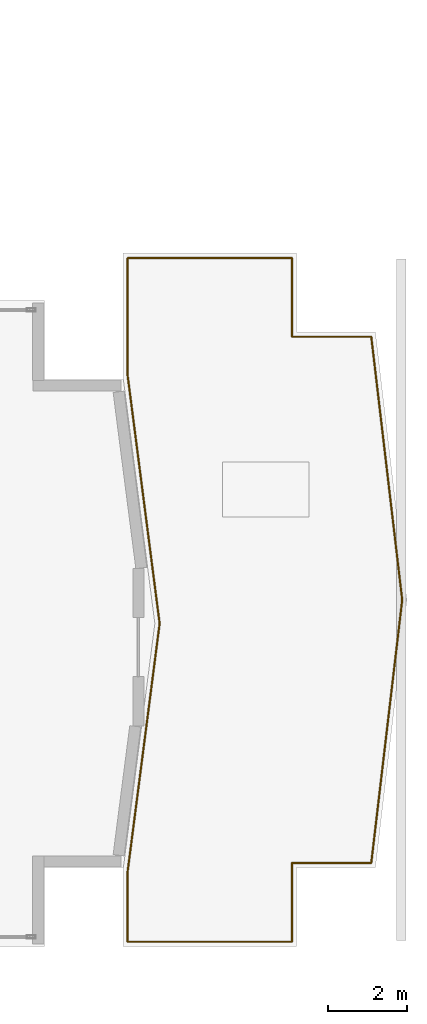
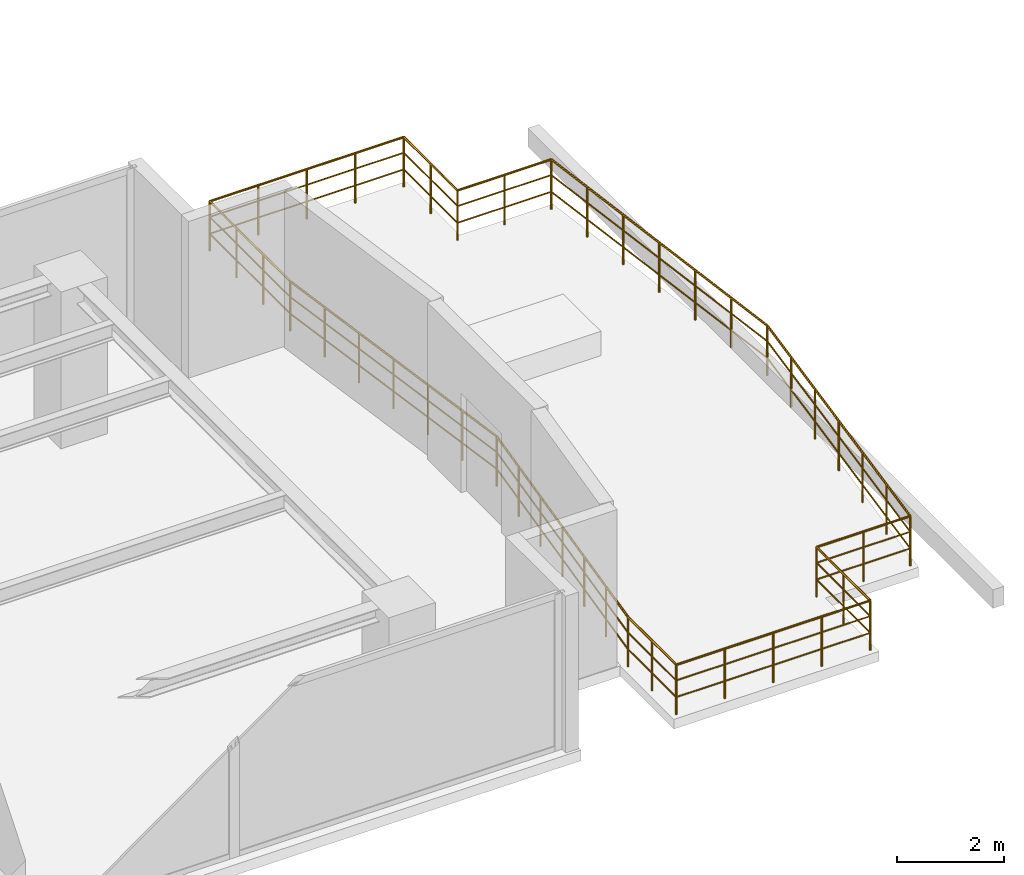
# One storey, part 24 of 25: 12 railings.
"""IFC4 building model written with IfcOpenShell, lengths in metres."""

import ifcopenshell
import ifcopenshell.guid

model = None  # the IFC model being written
_history = None  # IfcOwnerHistory: only IFC2X3 demands one
_inside = {}  # id of a spatial element -> (the spatial element, [elements in it])
_under = {}  # id of a project, library or spatial element -> (it, [spatial elements below it])
_declared = {}  # id of a project -> (the project, [libraries it declares])
_typed = {}  # id of a type object -> (the type object, [elements of that type])
_made_of = {}  # id of a material, layer set ... -> (it, [elements and type objects made of it])


def new_model(schema):
    """Start an empty IFC model of exactly this schema.

    Asked for "IFC4X3", IfcOpenShell would pick the latest addendum, in which some entities
    have other attributes; the version numbers below select the first issue.
    IFC2X3 requires an IfcOwnerHistory on every rooted entity: one is made here for all.
    """
    global model, _history
    if schema == "IFC4X3":
        model = ifcopenshell.file(schema_version=(4, 3, 0, 0))
    else:
        model = ifcopenshell.file(schema=schema)
    _inside.clear()
    _under.clear()
    _declared.clear()
    _typed.clear()
    _made_of.clear()
    _history = None
    if model.schema == "IFC2X3":
        org = make("IfcOrganization", Name="unknown")
        user = make(
            "IfcPersonAndOrganization",
            ThePerson=make("IfcPerson", FamilyName="unknown"),
            TheOrganization=org,
        )
        app = make(
            "IfcApplication",
            ApplicationDeveloper=org,
            Version="unknown",
            ApplicationFullName="unknown",
            ApplicationIdentifier="unknown",
        )
        _history = make(
            "IfcOwnerHistory",
            OwningUser=user,
            OwningApplication=app,
            ChangeAction="ADDED",
            CreationDate=0,
        )
    return model


def make(cls, **values):
    """One entity of the class cls with the attributes given. An attribute that is None is left unset."""
    return model.create_entity(
        cls, **{name: value for name, value in values.items() if value is not None}
    )


def rooted(cls, **values):
    """An entity with a GlobalId (a new one), such as an element, a storey or a relation."""
    return make(cls, GlobalId=ifcopenshell.guid.new(), OwnerHistory=_history, **values)


def si_unit(unit_type, name, prefix=None):
    """IfcSIUnit, for example si_unit("LENGTHUNIT", "METRE", prefix="MILLI")."""
    return make("IfcSIUnit", UnitType=unit_type, Prefix=prefix, Name=name)


def assignment(units):
    """IfcUnitAssignment: the units of a project."""
    return None if units is None else make("IfcUnitAssignment", Units=units)


def point(xyz):
    """IfcCartesianPoint."""
    return None if xyz is None else make("IfcCartesianPoint", Coordinates=xyz)


def direction(xyz):
    """IfcDirection."""
    return None if xyz is None else make("IfcDirection", DirectionRatios=xyz)


def frame(location, z_axis=None, x_axis=None):
    """IfcAxis2Placement3D, a coordinate frame: its origin and axes. An axis left out is left unset."""
    return make(
        "IfcAxis2Placement3D",
        Location=point(location),
        Axis=direction(z_axis),
        RefDirection=direction(x_axis),
    )


def frame_2d(location, x_axis=None):
    """IfcAxis2Placement2D, a coordinate frame in the plane: its origin and x axis."""
    return make(
        "IfcAxis2Placement2D", Location=point(location), RefDirection=direction(x_axis)
    )


def origin():
    """The frame at (0, 0, 0) with its axes left unset."""
    return frame((0.0, 0.0, 0.0))


def origin_2d():
    """The frame at (0, 0) in the plane with its x axis left unset."""
    return frame_2d((0.0, 0.0))


def place(relative_to, where):
    """IfcLocalPlacement: puts the frame where relative to a parent placement (None: the world)."""
    return make(
        "IfcLocalPlacement", PlacementRelTo=relative_to, RelativePlacement=where
    )


def context(
    kind, dimensions, precision=None, world=None, true_north=None, identifier=None
):
    """IfcGeometricRepresentationContext, for example the 3D "Model" context."""
    return make(
        "IfcGeometricRepresentationContext",
        ContextIdentifier=identifier,
        ContextType=kind,
        CoordinateSpaceDimension=dimensions,
        Precision=precision,
        WorldCoordinateSystem=world,
        TrueNorth=true_north,
    )


def subcontext(parent, identifier, kind, view, scale=None):
    """IfcGeometricRepresentationSubContext, for example "Body" below "Model"."""
    return make(
        "IfcGeometricRepresentationSubContext",
        ContextIdentifier=identifier,
        ContextType=kind,
        ParentContext=parent,
        TargetScale=scale,
        TargetView=view,
    )


def project(units=None, contexts=None):
    """IfcProject with its units and contexts."""
    return rooted(
        "IfcProject",
        Name="project",
        RepresentationContexts=contexts,
        UnitsInContext=assignment(units),
    )


def spatial(cls, under=None, at=None, **own):
    """A site, building, storey or space (cls), placed at a placement, below another one or the project."""
    s = rooted(cls, ObjectPlacement=at, **own)
    if under is not None:
        _under.setdefault(under.id(), (under, []))[1].append(s)
    return s


def profile(cls, at=None, kind="AREA", **sizes):
    """A parametric profile (cls). Its sizes go by their IFC names, for example OverallWidth=200.0."""
    return make(cls, ProfileType=kind, Position=at, **sizes)


def circle(**sizes):
    """IfcCircleProfileDef."""
    return profile("IfcCircleProfileDef", **sizes)


def extrude(swept, where, along, depth):
    """IfcExtrudedAreaSolid: the profile swept, set in the frame where, extruded along a direction by depth."""
    return make(
        "IfcExtrudedAreaSolid",
        SweptArea=swept,
        Position=where,
        ExtrudedDirection=direction(along),
        Depth=depth,
    )


def shape(context_of_items, identifier, shape_type, items):
    """IfcShapeRepresentation: the items that make up one representation, for example the "Body"."""
    return make(
        "IfcShapeRepresentation",
        ContextOfItems=context_of_items,
        RepresentationIdentifier=identifier,
        RepresentationType=shape_type,
        Items=items,
    )


def material(Name=None, Category=None):
    """IfcMaterial."""
    return make("IfcMaterial", Name=Name, Category=Category)


def made_of(thing, what):
    """Note that an element or type object is made of a material, layer set ...; save() writes the relation."""
    if what is not None:
        _made_of.setdefault(what.id(), (what, []))[1].append(thing)
    return thing


def type_object(cls, material=None, **own):
    """A type object (cls), such as IfcWallType, which elements share."""
    return made_of(rooted(cls, **own), material)


def element(
    cls,
    number,
    at=None,
    inside=None,
    cuts=None,
    type_object=None,
    material=None,
    context=None,
    identifier="Body",
    shape_type=None,
    held_by="IfcProductDefinitionShape",
    body=None,
    shapes=None,
    **own,
):
    """One element of the class cls, such as IfcWall. Its Tag is "e" and its number.

    at: its placement. inside: the storey or other place that contains it. cuts: it is an
    opening in that element (IfcRelVoidsElement). A single representation is given by context,
    identifier, shape_type and body (its items); several are given by shapes. held_by: the class
    of the entity that holds the representations. save() writes the other relations.
    """
    e = rooted(cls, Tag="e%d" % number, ObjectPlacement=at, **own)
    if body is not None:
        shapes = [shape(context, identifier, shape_type, body)]
    if shapes is not None:
        e.Representation = make(held_by, Representations=shapes)
    if inside is not None:
        _inside.setdefault(inside.id(), (inside, []))[1].append(e)
    if cuts is not None:
        rooted(
            "IfcRelVoidsElement", RelatingBuildingElement=cuts, RelatedOpeningElement=e
        )
    if type_object is not None:
        _typed.setdefault(type_object.id(), (type_object, []))[1].append(e)
    return made_of(e, material)


def aggregate(whole, parts):
    """IfcRelAggregates: a whole, such as a stair, and the parts it consists of."""
    return rooted("IfcRelAggregates", RelatingObject=whole, RelatedObjects=parts)


def save(model, path):
    """Write the relations noted so far, then the file.

    IfcRelAggregates (storeys below a building ...), IfcRelContainedInSpatialStructure (elements
    in a storey), IfcRelDefinesByType, IfcRelAssociatesMaterial and IfcRelDeclares: one each for
    every whole, place, type object, material and project.
    """
    for whole, parts in _under.values():
        aggregate(whole, parts)
    for where, things in _inside.values():
        rooted(
            "IfcRelContainedInSpatialStructure",
            RelatedElements=things,
            RelatingStructure=where,
        )
    for kind, things in _typed.values():
        rooted("IfcRelDefinesByType", RelatedObjects=things, RelatingType=kind)
    for what, things in _made_of.values():
        rooted("IfcRelAssociatesMaterial", RelatedObjects=things, RelatingMaterial=what)
    for by, libraries in _declared.values():
        rooted("IfcRelDeclares", RelatingContext=by, RelatedDefinitions=libraries)
    model.write(path)


model = new_model("IFC4")

# Units and contexts
model_context = context("Model", 3, precision=1e-05, world=origin(), true_north=direction((0.0, 1.0)))
body_context = subcontext(model_context, "Body", "Model", "MODEL_VIEW")
ifc_project = project(units=[si_unit("LENGTHUNIT", "METRE"), si_unit("AREAUNIT", "SQUARE_METRE"), si_unit("VOLUMEUNIT", "CUBIC_METRE"), si_unit("PLANEANGLEUNIT", "RADIAN"), si_unit("MASSUNIT", "GRAM", prefix="KILO")], contexts=[model_context])

# Site, building, storey
site_placement = place(None, origin())
site = spatial("IfcSite", under=ifc_project, at=site_placement, CompositionType="ELEMENT")
building_placement = place(site_placement, origin())
building = spatial("IfcBuilding", under=site, at=building_placement, Name="Kolvaren Waterfront Exchange", CompositionType="ELEMENT")
storey_placement = place(building_placement, frame((0.0, 0.0, 204.5)))
storey = spatial("IfcBuildingStorey", under=building, at=storey_placement, Name="L52", CompositionType="ELEMENT", Elevation=204.5)

# Railings
ifc_material = material(Name="Anodised bronze aluminium 6063-T6", Category="aluminium")
railing_type = type_object("IfcRailingType", Name="ARC-GUARD-EXT", PredefinedType="GUARDRAIL", material=ifc_material)
railing_1_placement = place(storey_placement, frame((50.7099609375, 5.514892578125, 0.0)))
element("IfcRailing", 1, at=railing_1_placement, inside=storey, type_object=railing_type, Name="L52 sky-garden perimeter balustrade 1", PredefinedType="GUARDRAIL", context=body_context, shape_type="SweptSolid", body=[
    extrude(circle(Radius=0.02392578125, at=origin_2d()), frame((0.0, 0.0, 1.1259765625), z_axis=(0.127978671888, 0.991776920251, 0.0), x_axis=(-0.991776920251, 0.127978671888, 0.0)), (0.0, 0.0, 1.0), 6.337158203125),
    extrude(circle(Radius=0.01611328125, at=origin_2d()), frame((0.0, 0.0, 0.390869140625), z_axis=(0.127978671888, 0.991776920251, 0.0), x_axis=(-0.991776920251, 0.127978671888, 0.0)), (0.0, 0.0, 1.0), 6.337158203125),
    extrude(circle(Radius=0.01611328125, at=origin_2d()), frame((0.0, 0.0, 0.7705078125), z_axis=(0.127978671888, 0.991776920251, 0.0), x_axis=(-0.991776920251, 0.127978671888, 0.0)), (0.0, 0.0, 1.0), 6.337158203125),
    extrude(circle(Radius=0.02099609375, at=origin_2d()), origin(), (0.0, 0.0, 1.0), 1.101806640625),
    extrude(circle(Radius=0.02099609375, at=origin_2d()), frame((0.13525390625, 1.047607421875, 0.0)), (0.0, 0.0, 1.0), 1.101806640625),
    extrude(circle(Radius=0.02099609375, at=origin_2d()), frame((0.270263671875, 2.094970703125, 0.0)), (0.0, 0.0, 1.0), 1.101806640625),
    extrude(circle(Radius=0.02099609375, at=origin_2d()), frame((0.405517578125, 3.142578125, 0.0)), (0.0, 0.0, 1.0), 1.101806640625),
    extrude(circle(Radius=0.02099609375, at=origin_2d()), frame((0.540771484375, 4.190185546875, 0.0)), (0.0, 0.0, 1.0), 1.101806640625),
    extrude(circle(Radius=0.02099609375, at=origin_2d()), frame((0.67578125, 5.237548828125, 0.0)), (0.0, 0.0, 1.0), 1.101806640625),
    extrude(circle(Radius=0.02099609375, at=origin_2d()), frame((0.81103515625, 6.28515625, 0.0)), (0.0, 0.0, 1.0), 1.101806640625),
])
railing_2_placement = place(storey_placement, frame((51.52099609375, 11.800048828125, 0.0)))
element("IfcRailing", 2, at=railing_2_placement, inside=storey, type_object=railing_type, Name="L52 sky-garden perimeter balustrade 1", PredefinedType="GUARDRAIL", context=body_context, shape_type="SweptSolid", body=[
    extrude(circle(Radius=0.02392578125, at=origin_2d()), frame((0.0, 0.0, 1.1259765625), z_axis=(-0.127978671888, 0.991776920251, 0.0), x_axis=(-0.991776920251, -0.127978671888, 0.0)), (0.0, 0.0, 1.0), 6.337158203125),
    extrude(circle(Radius=0.01611328125, at=origin_2d()), frame((0.0, 0.0, 0.390869140625), z_axis=(-0.127978671888, 0.991776920251, 0.0), x_axis=(-0.991776920251, -0.127978671888, 0.0)), (0.0, 0.0, 1.0), 6.337158203125),
    extrude(circle(Radius=0.01611328125, at=origin_2d()), frame((0.0, 0.0, 0.7705078125), z_axis=(-0.127978671888, 0.991776920251, 0.0), x_axis=(-0.991776920251, -0.127978671888, 0.0)), (0.0, 0.0, 1.0), 6.337158203125),
    extrude(circle(Radius=0.02099609375, at=origin_2d()), origin(), (0.0, 0.0, 1.0), 1.101806640625),
    extrude(circle(Radius=0.02099609375, at=origin_2d()), frame((-0.13525390625, 1.047607421875, 0.0)), (0.0, 0.0, 1.0), 1.101806640625),
    extrude(circle(Radius=0.02099609375, at=origin_2d()), frame((-0.270263671875, 2.094970703125, 0.0)), (0.0, 0.0, 1.0), 1.101806640625),
    extrude(circle(Radius=0.02099609375, at=origin_2d()), frame((-0.405517578125, 3.142578125, 0.0)), (0.0, 0.0, 1.0), 1.101806640625),
    extrude(circle(Radius=0.02099609375, at=origin_2d()), frame((-0.540771484375, 4.190185546875, 0.0)), (0.0, 0.0, 1.0), 1.101806640625),
    extrude(circle(Radius=0.02099609375, at=origin_2d()), frame((-0.67578125, 5.237548828125, 0.0)), (0.0, 0.0, 1.0), 1.101806640625),
    extrude(circle(Radius=0.02099609375, at=origin_2d()), frame((-0.81103515625, 6.28515625, 0.0)), (0.0, 0.0, 1.0), 1.101806640625),
])
railing_3_placement = place(storey_placement, frame((50.7099609375, 18.085205078125, 0.0)))
element("IfcRailing", 3, at=railing_3_placement, inside=storey, type_object=railing_type, Name="L52 sky-garden perimeter balustrade 1", PredefinedType="GUARDRAIL", context=body_context, shape_type="SweptSolid", body=[
    extrude(circle(Radius=0.02392578125, at=origin_2d()), frame((0.0, 0.0, 1.1259765625), z_axis=(0.0, 1.0, 0.0), x_axis=(-1.0, 0.0, 0.0)), (0.0, 0.0, 1.0), 2.994873046875),
    extrude(circle(Radius=0.01611328125, at=origin_2d()), frame((0.0, 0.0, 0.390869140625), z_axis=(0.0, 1.0, 0.0), x_axis=(-1.0, 0.0, 0.0)), (0.0, 0.0, 1.0), 2.994873046875),
    extrude(circle(Radius=0.01611328125, at=origin_2d()), frame((0.0, 0.0, 0.7705078125), z_axis=(0.0, 1.0, 0.0), x_axis=(-1.0, 0.0, 0.0)), (0.0, 0.0, 1.0), 2.994873046875),
    extrude(circle(Radius=0.02099609375, at=origin_2d()), origin(), (0.0, 0.0, 1.0), 1.101806640625),
    extrude(circle(Radius=0.02099609375, at=origin_2d()), frame((0.0, 0.998291015625, 0.0)), (0.0, 0.0, 1.0), 1.101806640625),
    extrude(circle(Radius=0.02099609375, at=origin_2d()), frame((0.0, 1.99658203125, 0.0)), (0.0, 0.0, 1.0), 1.101806640625),
    extrude(circle(Radius=0.02099609375, at=origin_2d()), frame((0.0, 2.994873046875, 0.0)), (0.0, 0.0, 1.0), 1.101806640625),
])
railing_4_placement = place(storey_placement, frame((50.7099609375, 21.080078125, 0.0)))
element("IfcRailing", 4, at=railing_4_placement, inside=storey, type_object=railing_type, Name="L52 sky-garden perimeter balustrade 1", PredefinedType="GUARDRAIL", context=body_context, shape_type="SweptSolid", body=[
    extrude(circle(Radius=0.02392578125, at=origin_2d()), frame((0.0, 0.0, 1.1259765625), z_axis=(1.0, 0.0, 0.0), x_axis=(0.0, 1.0, 0.0)), (0.0, 0.0, 1.0), 4.169921875),
    extrude(circle(Radius=0.01611328125, at=origin_2d()), frame((0.0, 0.0, 0.390869140625), z_axis=(1.0, 0.0, 0.0), x_axis=(0.0, 1.0, 0.0)), (0.0, 0.0, 1.0), 4.169921875),
    extrude(circle(Radius=0.01611328125, at=origin_2d()), frame((0.0, 0.0, 0.7705078125), z_axis=(1.0, 0.0, 0.0), x_axis=(0.0, 1.0, 0.0)), (0.0, 0.0, 1.0), 4.169921875),
    extrude(circle(Radius=0.02099609375, at=origin_2d()), origin(), (0.0, 0.0, 1.0), 1.101806640625),
    extrude(circle(Radius=0.02099609375, at=origin_2d()), frame((1.04248046875, 0.0, 0.0)), (0.0, 0.0, 1.0), 1.101806640625),
    extrude(circle(Radius=0.02099609375, at=origin_2d()), frame((2.0849609375, 0.0, 0.0)), (0.0, 0.0, 1.0), 1.101806640625),
    extrude(circle(Radius=0.02099609375, at=origin_2d()), frame((3.12744140625, 0.0, 0.0)), (0.0, 0.0, 1.0), 1.101806640625),
    extrude(circle(Radius=0.02099609375, at=origin_2d()), frame((4.169921875, 0.0, 0.0)), (0.0, 0.0, 1.0), 1.101806640625),
])
railing_5_placement = place(storey_placement, frame((54.8798828125, 21.080078125, 0.0)))
element("IfcRailing", 5, at=railing_5_placement, inside=storey, type_object=railing_type, Name="L52 sky-garden perimeter balustrade 1", PredefinedType="GUARDRAIL", context=body_context, shape_type="SweptSolid", body=[
    extrude(circle(Radius=0.02392578125, at=origin_2d()), frame((0.0, 0.0, 1.1259765625), z_axis=(0.0, -1.0, 0.0), x_axis=(1.0, 0.0, 0.0)), (0.0, 0.0, 1.0), 2.0),
    extrude(circle(Radius=0.01611328125, at=origin_2d()), frame((0.0, 0.0, 0.390869140625), z_axis=(0.0, -1.0, 0.0), x_axis=(1.0, 0.0, 0.0)), (0.0, 0.0, 1.0), 2.0),
    extrude(circle(Radius=0.01611328125, at=origin_2d()), frame((0.0, 0.0, 0.7705078125), z_axis=(0.0, -1.0, 0.0), x_axis=(1.0, 0.0, 0.0)), (0.0, 0.0, 1.0), 2.0),
    extrude(circle(Radius=0.02099609375, at=origin_2d()), origin(), (0.0, 0.0, 1.0), 1.101806640625),
    extrude(circle(Radius=0.02099609375, at=origin_2d()), frame((0.0, -1.0, 0.0)), (0.0, 0.0, 1.0), 1.101806640625),
    extrude(circle(Radius=0.02099609375, at=origin_2d()), frame((0.0, -2.0, 0.0)), (0.0, 0.0, 1.0), 1.101806640625),
])
railing_6_placement = place(storey_placement, frame((54.8798828125, 19.080078125, 0.0)))
element("IfcRailing", 6, at=railing_6_placement, inside=storey, type_object=railing_type, Name="L52 sky-garden perimeter balustrade 1", PredefinedType="GUARDRAIL", context=body_context, shape_type="SweptSolid", body=[
    extrude(circle(Radius=0.02392578125, at=origin_2d()), frame((0.0, 0.0, 1.1259765625), z_axis=(1.0, 0.0, 0.0), x_axis=(0.0, 1.0, 0.0)), (0.0, 0.0, 1.0), 2.013427734375),
    extrude(circle(Radius=0.01611328125, at=origin_2d()), frame((0.0, 0.0, 0.390869140625), z_axis=(1.0, 0.0, 0.0), x_axis=(0.0, 1.0, 0.0)), (0.0, 0.0, 1.0), 2.013427734375),
    extrude(circle(Radius=0.01611328125, at=origin_2d()), frame((0.0, 0.0, 0.7705078125), z_axis=(1.0, 0.0, 0.0), x_axis=(0.0, 1.0, 0.0)), (0.0, 0.0, 1.0), 2.013427734375),
    extrude(circle(Radius=0.02099609375, at=origin_2d()), origin(), (0.0, 0.0, 1.0), 1.101806640625),
    extrude(circle(Radius=0.02099609375, at=origin_2d()), frame((1.0068359375, 0.0, 0.0)), (0.0, 0.0, 1.0), 1.101806640625),
    extrude(circle(Radius=0.02099609375, at=origin_2d()), frame((2.013427734375, 0.0, 0.0)), (0.0, 0.0, 1.0), 1.101806640625),
])
railing_7_placement = place(storey_placement, frame((56.893310546875, 19.080078125, 0.0)))
element("IfcRailing", 7, at=railing_7_placement, inside=storey, type_object=railing_type, Name="L52 sky-garden perimeter balustrade 1", PredefinedType="GUARDRAIL", context=body_context, shape_type="SweptSolid", body=[
    extrude(circle(Radius=0.02392578125, at=origin_2d()), frame((0.0, 0.0, 1.1259765625), z_axis=(0.116839141614, -0.99315085208, 0.0), x_axis=(0.99315085208, 0.116839141614, 0.0)), (0.0, 0.0, 1.0), 6.726318359375),
    extrude(circle(Radius=0.01611328125, at=origin_2d()), frame((0.0, 0.0, 0.390869140625), z_axis=(0.116839141614, -0.99315085208, 0.0), x_axis=(0.99315085208, 0.116839141614, 0.0)), (0.0, 0.0, 1.0), 6.726318359375),
    extrude(circle(Radius=0.01611328125, at=origin_2d()), frame((0.0, 0.0, 0.7705078125), z_axis=(0.116839141614, -0.99315085208, 0.0), x_axis=(0.99315085208, 0.116839141614, 0.0)), (0.0, 0.0, 1.0), 6.726318359375),
    extrude(circle(Radius=0.02099609375, at=origin_2d()), origin(), (0.0, 0.0, 1.0), 1.101806640625),
    extrude(circle(Radius=0.02099609375, at=origin_2d()), frame((0.130859375, -1.11328125, 0.0)), (0.0, 0.0, 1.0), 1.101806640625),
    extrude(circle(Radius=0.02099609375, at=origin_2d()), frame((0.261962890625, -2.226806640625, 0.0)), (0.0, 0.0, 1.0), 1.101806640625),
    extrude(circle(Radius=0.02099609375, at=origin_2d()), frame((0.39306640625, -3.340087890625, 0.0)), (0.0, 0.0, 1.0), 1.101806640625),
    extrude(circle(Radius=0.02099609375, at=origin_2d()), frame((0.52392578125, -4.453369140625, 0.0)), (0.0, 0.0, 1.0), 1.101806640625),
    extrude(circle(Radius=0.02099609375, at=origin_2d()), frame((0.65478515625, -5.56689453125, 0.0)), (0.0, 0.0, 1.0), 1.101806640625),
    extrude(circle(Radius=0.02099609375, at=origin_2d()), frame((0.785888671875, -6.68017578125, 0.0)), (0.0, 0.0, 1.0), 1.101806640625),
])
railing_8_placement = place(storey_placement, frame((57.67919921875, 12.39990234375, 0.0)))
element("IfcRailing", 8, at=railing_8_placement, inside=storey, type_object=railing_type, Name="L52 sky-garden perimeter balustrade 1", PredefinedType="GUARDRAIL", context=body_context, shape_type="SweptSolid", body=[
    extrude(circle(Radius=0.02392578125, at=origin_2d()), frame((0.0, 0.0, 1.1259765625), z_axis=(-0.116843353596, -0.993150356553, 0.0), x_axis=(0.993150356553, -0.116843353596, 0.0)), (0.0, 0.0, 1.0), 6.72607421875),
    extrude(circle(Radius=0.01611328125, at=origin_2d()), frame((0.0, 0.0, 0.390869140625), z_axis=(-0.116843353596, -0.993150356553, 0.0), x_axis=(0.993150356553, -0.116843353596, 0.0)), (0.0, 0.0, 1.0), 6.72607421875),
    extrude(circle(Radius=0.01611328125, at=origin_2d()), frame((0.0, 0.0, 0.7705078125), z_axis=(-0.116843353596, -0.993150356553, 0.0), x_axis=(0.993150356553, -0.116843353596, 0.0)), (0.0, 0.0, 1.0), 6.72607421875),
    extrude(circle(Radius=0.02099609375, at=origin_2d()), origin(), (0.0, 0.0, 1.0), 1.101806640625),
    extrude(circle(Radius=0.02099609375, at=origin_2d()), frame((-0.130859375, -1.11328125, 0.0)), (0.0, 0.0, 1.0), 1.101806640625),
    extrude(circle(Radius=0.02099609375, at=origin_2d()), frame((-0.261962890625, -2.2265625, 0.0)), (0.0, 0.0, 1.0), 1.101806640625),
    extrude(circle(Radius=0.02099609375, at=origin_2d()), frame((-0.39306640625, -3.33984375, 0.0)), (0.0, 0.0, 1.0), 1.101806640625),
    extrude(circle(Radius=0.02099609375, at=origin_2d()), frame((-0.52392578125, -4.453369140625, 0.0)), (0.0, 0.0, 1.0), 1.101806640625),
    extrude(circle(Radius=0.02099609375, at=origin_2d()), frame((-0.65478515625, -5.566650390625, 0.0)), (0.0, 0.0, 1.0), 1.101806640625),
    extrude(circle(Radius=0.02099609375, at=origin_2d()), frame((-0.785888671875, -6.679931640625, 0.0)), (0.0, 0.0, 1.0), 1.101806640625),
])
railing_9_placement = place(storey_placement, frame((56.893310546875, 5.719970703125, 0.0)))
element("IfcRailing", 9, at=railing_9_placement, inside=storey, type_object=railing_type, Name="L52 sky-garden perimeter balustrade 1", PredefinedType="GUARDRAIL", context=body_context, shape_type="SweptSolid", body=[
    extrude(circle(Radius=0.02392578125, at=origin_2d()), frame((0.0, 0.0, 1.1259765625), z_axis=(-1.0, 0.0, 0.0), x_axis=(0.0, -1.0, 0.0)), (0.0, 0.0, 1.0), 2.013427734375),
    extrude(circle(Radius=0.01611328125, at=origin_2d()), frame((0.0, 0.0, 0.390869140625), z_axis=(-1.0, 0.0, 0.0), x_axis=(0.0, -1.0, 0.0)), (0.0, 0.0, 1.0), 2.013427734375),
    extrude(circle(Radius=0.01611328125, at=origin_2d()), frame((0.0, 0.0, 0.7705078125), z_axis=(-1.0, 0.0, 0.0), x_axis=(0.0, -1.0, 0.0)), (0.0, 0.0, 1.0), 2.013427734375),
    extrude(circle(Radius=0.02099609375, at=origin_2d()), origin(), (0.0, 0.0, 1.0), 1.101806640625),
    extrude(circle(Radius=0.02099609375, at=origin_2d()), frame((-1.0068359375, 0.0, 0.0)), (0.0, 0.0, 1.0), 1.101806640625),
    extrude(circle(Radius=0.02099609375, at=origin_2d()), frame((-2.013427734375, 0.0, 0.0)), (0.0, 0.0, 1.0), 1.101806640625),
])
railing_10_placement = place(storey_placement, frame((54.8798828125, 5.719970703125, 0.0)))
element("IfcRailing", 10, at=railing_10_placement, inside=storey, type_object=railing_type, Name="L52 sky-garden perimeter balustrade 1", PredefinedType="GUARDRAIL", context=body_context, shape_type="SweptSolid", body=[
    extrude(circle(Radius=0.02392578125, at=origin_2d()), frame((0.0, 0.0, 1.1259765625), z_axis=(0.0, -1.0, 0.0), x_axis=(1.0, 0.0, 0.0)), (0.0, 0.0, 1.0), 2.0),
    extrude(circle(Radius=0.01611328125, at=origin_2d()), frame((0.0, 0.0, 0.390869140625), z_axis=(0.0, -1.0, 0.0), x_axis=(1.0, 0.0, 0.0)), (0.0, 0.0, 1.0), 2.0),
    extrude(circle(Radius=0.01611328125, at=origin_2d()), frame((0.0, 0.0, 0.7705078125), z_axis=(0.0, -1.0, 0.0), x_axis=(1.0, 0.0, 0.0)), (0.0, 0.0, 1.0), 2.0),
    extrude(circle(Radius=0.02099609375, at=origin_2d()), origin(), (0.0, 0.0, 1.0), 1.101806640625),
    extrude(circle(Radius=0.02099609375, at=origin_2d()), frame((0.0, -1.0, 0.0)), (0.0, 0.0, 1.0), 1.101806640625),
    extrude(circle(Radius=0.02099609375, at=origin_2d()), frame((0.0, -2.0, 0.0)), (0.0, 0.0, 1.0), 1.101806640625),
])
railing_11_placement = place(storey_placement, frame((54.8798828125, 3.719970703125, 0.0)))
element("IfcRailing", 11, at=railing_11_placement, inside=storey, type_object=railing_type, Name="L52 sky-garden perimeter balustrade 1", PredefinedType="GUARDRAIL", context=body_context, shape_type="SweptSolid", body=[
    extrude(circle(Radius=0.02392578125, at=origin_2d()), frame((0.0, 0.0, 1.1259765625), z_axis=(-1.0, 0.0, 0.0), x_axis=(0.0, -1.0, 0.0)), (0.0, 0.0, 1.0), 4.169921875),
    extrude(circle(Radius=0.01611328125, at=origin_2d()), frame((0.0, 0.0, 0.390869140625), z_axis=(-1.0, 0.0, 0.0), x_axis=(0.0, -1.0, 0.0)), (0.0, 0.0, 1.0), 4.169921875),
    extrude(circle(Radius=0.01611328125, at=origin_2d()), frame((0.0, 0.0, 0.7705078125), z_axis=(-1.0, 0.0, 0.0), x_axis=(0.0, -1.0, 0.0)), (0.0, 0.0, 1.0), 4.169921875),
    extrude(circle(Radius=0.02099609375, at=origin_2d()), origin(), (0.0, 0.0, 1.0), 1.101806640625),
    extrude(circle(Radius=0.02099609375, at=origin_2d()), frame((-1.04248046875, 0.0, 0.0)), (0.0, 0.0, 1.0), 1.101806640625),
    extrude(circle(Radius=0.02099609375, at=origin_2d()), frame((-2.0849609375, 0.0, 0.0)), (0.0, 0.0, 1.0), 1.101806640625),
    extrude(circle(Radius=0.02099609375, at=origin_2d()), frame((-3.12744140625, 0.0, 0.0)), (0.0, 0.0, 1.0), 1.101806640625),
    extrude(circle(Radius=0.02099609375, at=origin_2d()), frame((-4.169921875, 0.0, 0.0)), (0.0, 0.0, 1.0), 1.101806640625),
])
railing_12_placement = place(storey_placement, frame((50.7099609375, 3.719970703125, 0.0)))
element("IfcRailing", 12, at=railing_12_placement, inside=storey, type_object=railing_type, Name="L52 sky-garden perimeter balustrade 1", PredefinedType="GUARDRAIL", context=body_context, shape_type="SweptSolid", body=[
    extrude(circle(Radius=0.02392578125, at=origin_2d()), frame((0.0, 0.0, 1.1259765625), z_axis=(0.0, 1.0, 0.0), x_axis=(-1.0, 0.0, 0.0)), (0.0, 0.0, 1.0), 1.794921875),
    extrude(circle(Radius=0.01611328125, at=origin_2d()), frame((0.0, 0.0, 0.390869140625), z_axis=(0.0, 1.0, 0.0), x_axis=(-1.0, 0.0, 0.0)), (0.0, 0.0, 1.0), 1.794921875),
    extrude(circle(Radius=0.01611328125, at=origin_2d()), frame((0.0, 0.0, 0.7705078125), z_axis=(0.0, 1.0, 0.0), x_axis=(-1.0, 0.0, 0.0)), (0.0, 0.0, 1.0), 1.794921875),
    extrude(circle(Radius=0.02099609375, at=origin_2d()), origin(), (0.0, 0.0, 1.0), 1.101806640625),
    extrude(circle(Radius=0.02099609375, at=origin_2d()), frame((0.0, 0.8974609375, 0.0)), (0.0, 0.0, 1.0), 1.101806640625),
    extrude(circle(Radius=0.02099609375, at=origin_2d()), frame((0.0, 1.794921875, 0.0)), (0.0, 0.0, 1.0), 1.101806640625),
])

save(model, "model.ifc")
